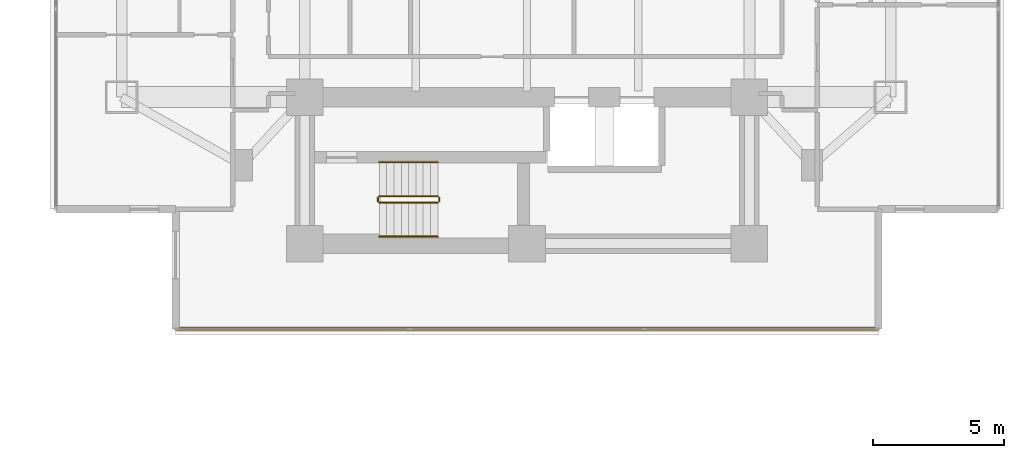
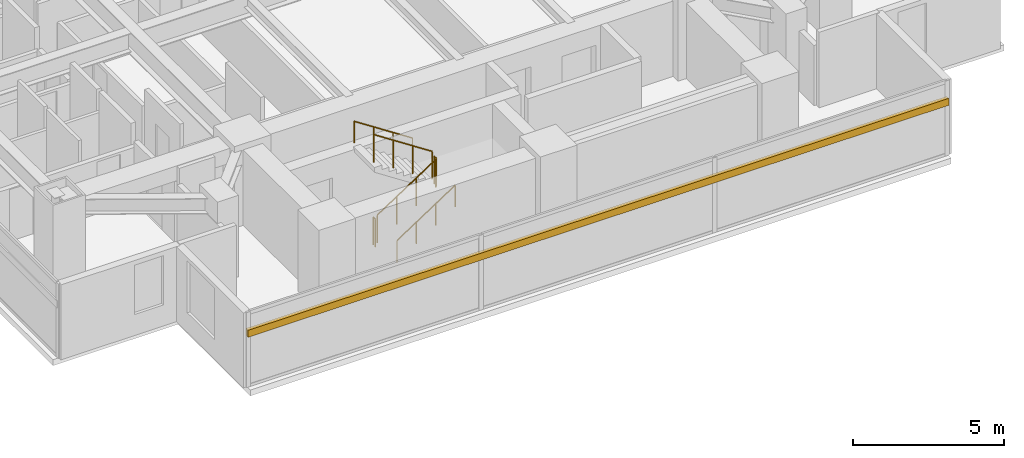
# One storey, part 24 of 26: 6 railings, 1 shading device.
"""IFC4 building model written with IfcOpenShell, lengths in metres."""

from ifc_helpers import new_model, si_unit, direction, frame, origin, origin_2d, place, context, subcontext, project, spatial, rectangle, circle, extrude, material, material_profile, profile_set, type_object, element, save


model = new_model("IFC4")

# Units and contexts
model_context = context("Model", 3, precision=1e-05, world=origin(), true_north=direction((0.0, 1.0)))
body_context = subcontext(model_context, "Body", "Model", "MODEL_VIEW")
ifc_project = project(units=[si_unit("LENGTHUNIT", "METRE"), si_unit("AREAUNIT", "SQUARE_METRE"), si_unit("VOLUMEUNIT", "CUBIC_METRE"), si_unit("PLANEANGLEUNIT", "RADIAN"), si_unit("MASSUNIT", "GRAM", prefix="KILO")], contexts=[model_context])

# Site, building, storey
site_placement = place(None, origin())
site = spatial("IfcSite", under=ifc_project, at=site_placement, CompositionType="ELEMENT")
building_placement = place(site_placement, origin())
building = spatial("IfcBuilding", under=site, at=building_placement, Name="Mirazonda Arch Towers", CompositionType="ELEMENT")
storey_placement = place(building_placement, frame((0.0, 0.0, 25.699951171875)))
storey = spatial("IfcBuildingStorey", under=building, at=storey_placement, Name="L06", CompositionType="ELEMENT", Elevation=25.699951171875)

# Shading device
ifc_material_1 = material(Name="Kiln-Fired Architectural Terracotta", Category="masonry")
ifc_material_profile = material_profile(ifc_material_1, rectangle(XDim=0.139892578125, YDim=0.280029296875, at=origin_2d()), Name="TERRA-BAG-140x280")
ifc_profile_set = profile_set([ifc_material_profile], Name="Kiln-Fired Architectural Terracotta")
shading_device_type = type_object("IfcShadingDeviceType", Name="BAGUETTE-3", PredefinedType="USERDEFINED", material=ifc_profile_set)
shading_device_placement = place(storey_placement, frame((89.93798828125, 11.936767578125, 2.18896484375), z_axis=(-1.0, 0.0, 0.0), x_axis=(0.0, -1.0, 0.0)))
element("IfcShadingDevice", 1, at=shading_device_placement, inside=storey, type_object=shading_device_type, Name="L06 Glazed Terracotta Sun-Screen Baguette CW-L06-T2-S", ObjectType="BAGUETTE", PredefinedType="USERDEFINED", context=body_context, shape_type="SweptSolid", body=[
    extrude(rectangle(XDim=0.139892578125, YDim=0.280029296875, at=origin_2d()), origin(), (0.0, 0.0, 1.0), 26.8759765625),
])

# Railings
ifc_material_2 = material(Name="Architectural Brushed Steel S355", Category="steel")
railing_type_1 = type_object("IfcRailingType", Name="GUARD-STAIR-1120", PredefinedType="GUARDRAIL", material=ifc_material_2)
railing_1_placement = place(storey_placement, frame((70.85009765625, 16.77001953125, 0.183349609375)))
element("IfcRailing", 2, at=railing_1_placement, inside=storey, type_object=railing_type_1, Name="L06 ST-T2S stair guard 1", PredefinedType="GUARDRAIL", context=body_context, shape_type="SweptSolid", body=[
    extrude(circle(Radius=0.02392578125, at=origin_2d()), frame((0.0, 0.0, 1.1259765625), z_axis=(0.836595146698, 0.0, 0.547821650285), x_axis=(0.0, 1.0, 0.0)), (0.0, 0.0, 1.0), 2.677490234375),
    extrude(circle(Radius=0.02099609375, at=origin_2d()), origin(), (0.0, 0.0, 1.0), 1.101806640625),
    extrude(circle(Radius=0.02099609375, at=origin_2d()), frame((0.74658203125, 0.0, 0.489013671875)), (0.0, 0.0, 1.0), 1.101806640625),
    extrude(circle(Radius=0.02099609375, at=origin_2d()), frame((1.493408203125, 0.0, 0.977783203125)), (0.0, 0.0, 1.0), 1.101806640625),
    extrude(circle(Radius=0.02099609375, at=origin_2d()), frame((2.239990234375, 0.0, 1.466796875)), (0.0, 0.0, 1.0), 1.101806640625),
])
railing_2_placement = place(storey_placement, frame((73.139892578125, 16.820068359375, 1.650146484375)))
element("IfcRailing", 3, at=railing_2_placement, inside=storey, type_object=railing_type_1, Name="L06 ST-T2S stair guard 2", PredefinedType="GUARDRAIL", context=body_context, shape_type="SweptSolid", body=[
    extrude(circle(Radius=0.02392578125, at=origin_2d()), frame((0.0, 0.0, 1.1259765625), z_axis=(0.0, 1.0, 0.0), x_axis=(-1.0, 0.0, 0.0)), (0.0, 0.0, 1.0), 0.139892578125),
    extrude(circle(Radius=0.02099609375, at=origin_2d()), origin(), (0.0, 0.0, 1.0), 1.101806640625),
    extrude(circle(Radius=0.02099609375, at=origin_2d()), frame((0.0, 0.139892578125, 0.0)), (0.0, 0.0, 1.0), 1.101806640625),
])
railing_3_placement = place(storey_placement, frame((73.090087890625, 17.010009765625, 1.83349609375)))
element("IfcRailing", 4, at=railing_3_placement, inside=storey, type_object=railing_type_1, Name="L06 ST-T2S stair guard 3", PredefinedType="GUARDRAIL", context=body_context, shape_type="SweptSolid", body=[
    extrude(circle(Radius=0.02392578125, at=origin_2d()), frame((0.0, 0.0, 1.1259765625), z_axis=(-0.836636935527, 0.0, 0.547757827979), x_axis=(0.0, -1.0, 0.0)), (0.0, 0.0, 1.0), 2.677490234375),
    extrude(circle(Radius=0.02099609375, at=origin_2d()), origin(), (0.0, 0.0, 1.0), 1.101806640625),
    extrude(circle(Radius=0.02099609375, at=origin_2d()), frame((-0.74658203125, 0.0, 0.48876953125)), (0.0, 0.0, 1.0), 1.101806640625),
    extrude(circle(Radius=0.02099609375, at=origin_2d()), frame((-1.493408203125, 0.0, 0.977783203125)), (0.0, 0.0, 1.0), 1.101806640625),
    extrude(circle(Radius=0.02099609375, at=origin_2d()), frame((-2.239990234375, 0.0, 1.466552734375)), (0.0, 0.0, 1.0), 1.101806640625),
])
railing_4_placement = place(storey_placement, frame((70.800048828125, 16.820068359375, 0.0)))
element("IfcRailing", 5, at=railing_4_placement, inside=storey, type_object=railing_type_1, Name="L06 ST-T2S stair guard 4", PredefinedType="GUARDRAIL", context=body_context, shape_type="SweptSolid", body=[
    extrude(circle(Radius=0.02392578125, at=origin_2d()), frame((0.0, 0.0, 1.1259765625), z_axis=(0.0, 1.0, 0.0), x_axis=(-1.0, 0.0, 0.0)), (0.0, 0.0, 1.0), 0.139892578125),
    extrude(circle(Radius=0.02099609375, at=origin_2d()), origin(), (0.0, 0.0, 1.0), 1.101806640625),
    extrude(circle(Radius=0.02099609375, at=origin_2d()), frame((0.0, 0.139892578125, 0.0)), (0.0, 0.0, 1.0), 1.101806640625),
])
railing_type_2 = type_object("IfcRailingType", Name="HANDRAIL-915", PredefinedType="HANDRAIL", material=ifc_material_2)
railing_5_placement = place(storey_placement, frame((70.85009765625, 15.469970703125, 0.183349609375)))
element("IfcRailing", 6, at=railing_5_placement, inside=storey, type_object=railing_type_2, Name="L06 ST-T2S stair handrail 1", PredefinedType="HANDRAIL", context=body_context, shape_type="SweptSolid", body=[
    extrude(circle(Radius=0.02392578125, at=origin_2d()), frame((0.0, 0.0, 0.8759765625), z_axis=(0.836595146698, 0.0, 0.547821650285), x_axis=(0.0, 1.0, 0.0)), (0.0, 0.0, 1.0), 2.677490234375),
    extrude(circle(Radius=0.02099609375, at=origin_2d()), origin(), (0.0, 0.0, 1.0), 0.851806640625),
    extrude(circle(Radius=0.02099609375, at=origin_2d()), frame((0.74658203125, 0.0, 0.489013671875)), (0.0, 0.0, 1.0), 0.851806640625),
    extrude(circle(Radius=0.02099609375, at=origin_2d()), frame((1.493408203125, 0.0, 0.977783203125)), (0.0, 0.0, 1.0), 0.851806640625),
    extrude(circle(Radius=0.02099609375, at=origin_2d()), frame((2.239990234375, 0.0, 1.466796875)), (0.0, 0.0, 1.0), 0.851806640625),
])
railing_6_placement = place(storey_placement, frame((73.090087890625, 18.31005859375, 1.83349609375)))
element("IfcRailing", 7, at=railing_6_placement, inside=storey, type_object=railing_type_2, Name="L06 ST-T2S stair handrail 2", PredefinedType="HANDRAIL", context=body_context, shape_type="SweptSolid", body=[
    extrude(circle(Radius=0.02392578125, at=origin_2d()), frame((0.0, 0.0, 0.8759765625), z_axis=(-0.836636935527, 0.0, 0.547757827979), x_axis=(0.0, -1.0, 0.0)), (0.0, 0.0, 1.0), 2.677490234375),
    extrude(circle(Radius=0.02099609375, at=origin_2d()), origin(), (0.0, 0.0, 1.0), 0.851806640625),
    extrude(circle(Radius=0.02099609375, at=origin_2d()), frame((-0.74658203125, 0.0, 0.48876953125)), (0.0, 0.0, 1.0), 0.851806640625),
    extrude(circle(Radius=0.02099609375, at=origin_2d()), frame((-1.493408203125, 0.0, 0.977783203125)), (0.0, 0.0, 1.0), 0.851806640625),
    extrude(circle(Radius=0.02099609375, at=origin_2d()), frame((-2.239990234375, 0.0, 1.466552734375)), (0.0, 0.0, 1.0), 0.851806640625),
])

save(model, "model.ifc")
